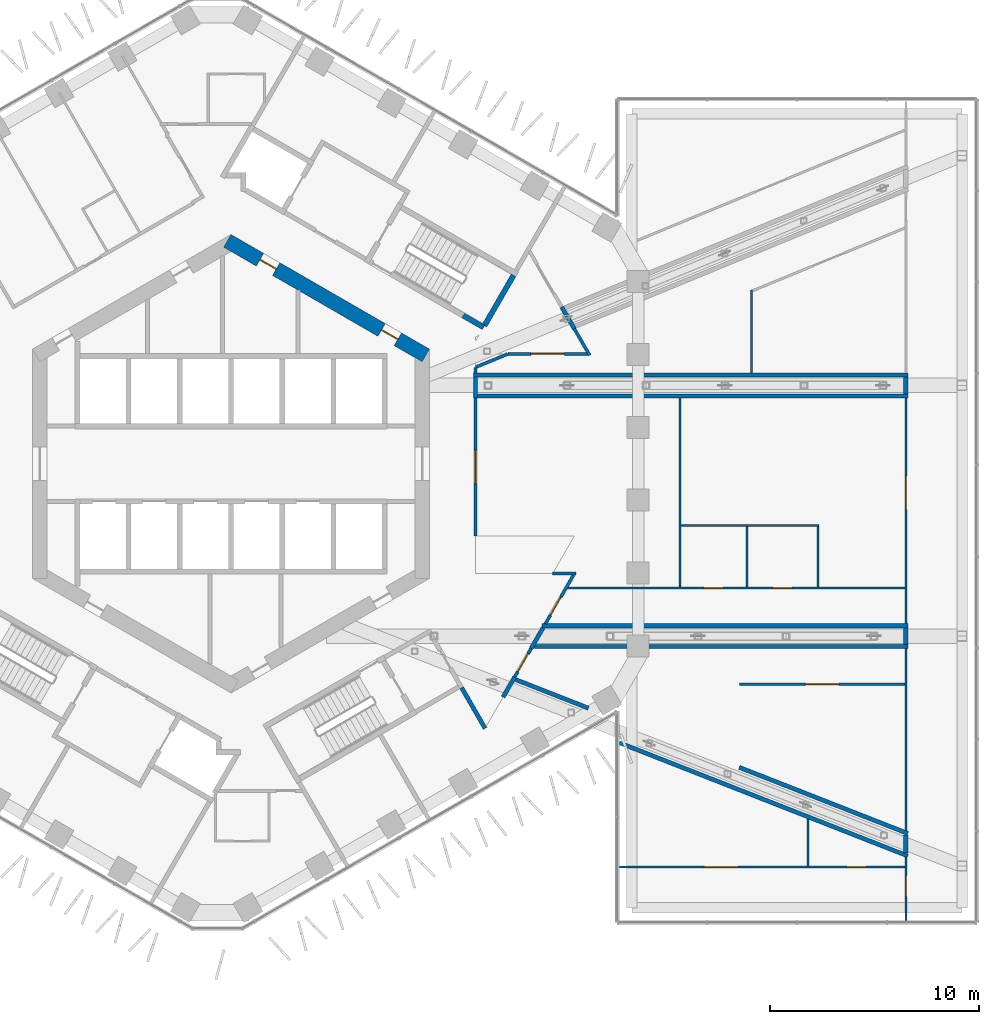
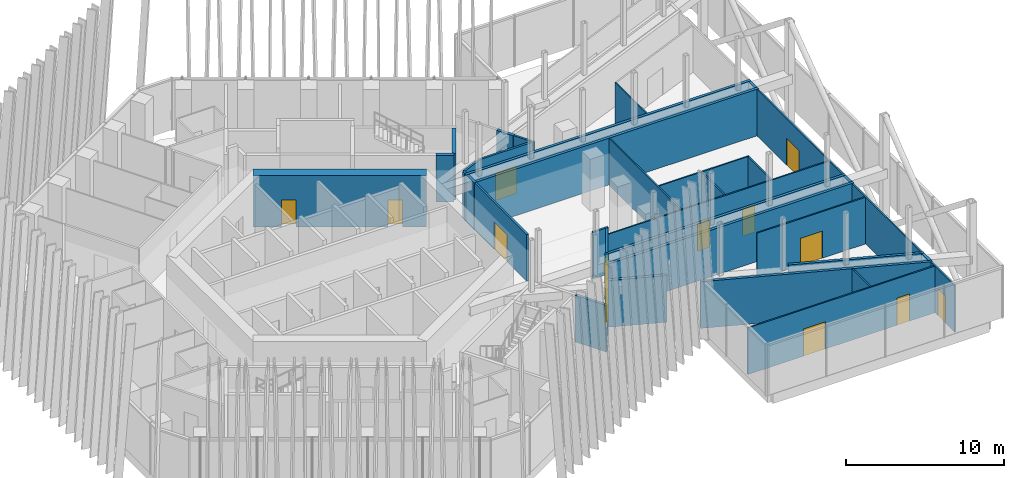
# One storey, part 21 of 28: 38 walls, 13 doors, 13 openings.
"""IFC4 building model written with IfcOpenShell, lengths in metres."""

from ifc_helpers import new_model, si_unit, direction, frame, frame_2d, origin, place, context, subcontext, project, spatial, rectangle, extrude, material, layer, layer_set, type_object, element, fill, save


model = new_model("IFC4")

# Units and contexts
model_context = context("Model", 3, precision=1e-05, world=origin(), true_north=direction((0.0, 1.0)))
body_context = subcontext(model_context, "Body", "Model", "MODEL_VIEW")
ifc_project = project(units=[si_unit("LENGTHUNIT", "METRE"), si_unit("AREAUNIT", "SQUARE_METRE"), si_unit("VOLUMEUNIT", "CUBIC_METRE"), si_unit("PLANEANGLEUNIT", "RADIAN"), si_unit("MASSUNIT", "GRAM", prefix="KILO")], contexts=[model_context])

# Site, building, storey
site_placement = place(None, origin())
site = spatial("IfcSite", under=ifc_project, at=site_placement, CompositionType="ELEMENT")
building_placement = place(site_placement, origin())
building = spatial("IfcBuilding", under=site, at=building_placement, Name="Ayvan Gate Tower", CompositionType="ELEMENT")
storey_placement = place(building_placement, frame((0.0, 0.0, 120.5)))
storey = spatial("IfcBuildingStorey", under=building, at=storey_placement, Name="L32", CompositionType="ELEMENT", Elevation=120.5)

# Wall, openings, doors
ifc_material_1 = material(Name="Concrete C70/85", Category="concrete")
ifc_layer_1 = layer(ifc_material_1, 0.699951171875)
ifc_layer_set_1 = layer_set([ifc_layer_1], Name="Concrete C70/85")
wall_type_1 = type_object("IfcWallType", Name="Core wall 700 C70/85", PredefinedType="SHEAR", material=ifc_layer_set_1)
wall_1_placement = place(storey_placement, frame((9.324951171875, 5.181640625, 0.0), z_axis=(0.0, 0.0, 1.0), x_axis=(-0.866023993627, 0.500002442456, 0.0)))
wall_1 = element("IfcWall", 1, at=wall_1_placement, inside=storey, type_object=wall_type_1, Name="CORE-L32-1", PredefinedType="SHEAR", context=body_context, shape_type="SweptSolid", body=[
    extrude(rectangle(XDim=10.9697265625, YDim=0.699951171875, at=frame_2d((5.48486328125, 0.0))), origin(), (0.0, 0.0, 1.0), 4.0),
])
opening_1_placement = place(wall_1_placement, frame((8.267333984375, 0.0, 0.0)))
opening_1 = element("IfcOpeningElement", 2, at=opening_1_placement, cuts=wall_1, Name="Opening L32-D49", PredefinedType="OPENING", context=body_context, shape_type="SweptSolid", body=[
    extrude(rectangle(XDim=0.89990234375, YDim=2.10009765625, at=frame_2d((0.449951171875, 1.050048828125))), frame((0.0, 0.35986328125, 0.0), z_axis=(0.0, -1.0, 0.0), x_axis=(1.0, 0.0, 0.0)), (0.0, 0.0, 1.0), 0.719970703125),
])
opening_2_placement = place(wall_1_placement, frame((1.547119140625, 0.0, 0.0)))
opening_2 = element("IfcOpeningElement", 3, at=opening_2_placement, cuts=wall_1, Name="Opening L32-D50", PredefinedType="OPENING", context=body_context, shape_type="SweptSolid", body=[
    extrude(rectangle(XDim=0.89990234375, YDim=2.10009765625, at=frame_2d((0.449951171875, 1.050048828125))), frame((0.0, 0.35986328125, 0.0), z_axis=(0.0, -1.0, 0.0), x_axis=(1.0, 0.0, 0.0)), (0.0, 0.0, 1.0), 0.719970703125),
])
ifc_material_2 = material(Name="Timber door leaf", Category="wood")
door_type_1 = type_object("IfcDoorType", Name="DT-900", OperationType="NOTDEFINED", PredefinedType="DOOR", material=ifc_material_2)
door_1_placement = place(opening_1_placement, origin())
door_1 = element("IfcDoor", 4, at=door_1_placement, inside=storey, type_object=door_type_1, Name="CD-L32-49", OperationType="SINGLE_SWING_LEFT", OverallHeight=2.10009765625, OverallWidth=0.89990234375, PredefinedType="DOOR", context=body_context, shape_type="SweptSolid", body=[
    extrude(rectangle(XDim=0.89990234375, YDim=2.10009765625, at=frame_2d((0.449951171875, 1.050048828125))), frame((0.0, 0.02490234375, 0.0), z_axis=(0.0, -1.0, 0.0), x_axis=(1.0, 0.0, 0.0)), (0.0, 0.0, 1.0), 0.050048828125),
])
fill(opening_1, door_1)
door_2_placement = place(opening_2_placement, origin())
door_2 = element("IfcDoor", 5, at=door_2_placement, inside=storey, type_object=door_type_1, Name="CD-L32-50", OperationType="SINGLE_SWING_RIGHT", OverallHeight=2.10009765625, OverallWidth=0.89990234375, PredefinedType="DOOR", context=body_context, shape_type="SweptSolid", body=[
    extrude(rectangle(XDim=0.89990234375, YDim=2.10009765625, at=frame_2d((0.449951171875, 1.050048828125))), frame((0.0, 0.02490234375, 0.0), z_axis=(0.0, -1.0, 0.0), x_axis=(1.0, 0.0, 0.0)), (0.0, 0.0, 1.0), 0.050048828125),
])
fill(opening_2, door_2)

# Wall, opening, door
ifc_material_3 = material(Name="Plasterboard on steel stud", Category="steel")
ifc_layer_2 = layer(ifc_material_3, 0.14990234375)
ifc_layer_set_2 = layer_set([ifc_layer_2], Name="Plasterboard on steel stud")
wall_type_2 = type_object("IfcWallType", Name="WT-CORR-150", PredefinedType="PARTITIONING", material=ifc_layer_set_2)
wall_2_placement = place(storey_placement, frame((11.699951171875, 3.150146484375, 0.0), z_axis=(0.0, 0.0, 1.0), x_axis=(0.0, -1.0, 0.0)))
wall_2 = element("IfcWall", 6, at=wall_2_placement, inside=storey, type_object=wall_type_2, Name="IW-L32-106", PredefinedType="PARTITIONING", context=body_context, shape_type="SweptSolid", body=[
    extrude(rectangle(XDim=6.608642578125, YDim=0.14990234375, at=frame_2d((3.30419921875, 0.0))), origin(), (0.0, 0.0, 1.0), 3.60009765625),
])
opening_3_placement = place(wall_2_placement, frame((2.50439453125, 0.0, 0.0)))
opening_3 = element("IfcOpeningElement", 7, at=opening_3_placement, cuts=wall_2, Name="Opening L32-D39", PredefinedType="OPENING", context=body_context, shape_type="SweptSolid", body=[
    extrude(rectangle(XDim=1.60009765625, YDim=2.10009765625, at=frame_2d((0.800048828125, 1.050048828125))), frame((0.0, 0.0849609375, 0.0), z_axis=(0.0, -1.0, 0.0), x_axis=(1.0, 0.0, 0.0)), (0.0, 0.0, 1.0), 0.169921875),
])
door_type_2 = type_object("IfcDoorType", Name="DT-1600", OperationType="NOTDEFINED", PredefinedType="DOOR", material=ifc_material_2)
door_3_placement = place(opening_3_placement, origin())
door_3 = element("IfcDoor", 8, at=door_3_placement, inside=storey, type_object=door_type_2, Name="ID-L32-039", OperationType="SINGLE_SWING_LEFT", OverallHeight=2.10009765625, OverallWidth=1.60009765625, PredefinedType="DOOR", context=body_context, shape_type="SweptSolid", body=[
    extrude(rectangle(XDim=1.60009765625, YDim=2.10009765625, at=frame_2d((0.800048828125, 1.050048828125))), frame((0.0, 0.02490234375, 0.0), z_axis=(0.0, -1.0, 0.0), x_axis=(1.0, 0.0, 0.0)), (0.0, 0.0, 1.0), 0.050048828125),
])
fill(opening_3, door_3)

# Walls
wall_3_placement = place(storey_placement, frame((11.699951171875, 4.61572265625, 0.0), z_axis=(0.0, 0.0, 1.0), x_axis=(0.0, -1.0, 0.0)))
element("IfcWall", 9, at=wall_3_placement, inside=storey, type_object=wall_type_2, Name="IW-L32-109", PredefinedType="PARTITIONING", context=body_context, shape_type="SweptSolid", body=[
    extrude(rectangle(XDim=0.265869140625, YDim=0.14990234375, at=frame_2d((0.1328125, 0.0))), origin(), (0.0, 0.0, 1.0), 3.60009765625),
])
wall_4_placement = place(storey_placement, frame((11.718505859375, 4.623291015625, 0.0), z_axis=(0.0, 0.0, 1.0), x_axis=(0.924625912524, 0.380876517901, 0.0)))
element("IfcWall", 10, at=wall_4_placement, inside=storey, type_object=wall_type_2, Name="IW-L32-110", PredefinedType="PARTITIONING", context=body_context, shape_type="SweptSolid", body=[
    extrude(rectangle(XDim=1.6474609375, YDim=0.14990234375, at=frame_2d((0.82373046875, 0.0))), origin(), (0.0, 0.0, 1.0), 3.60009765625),
])

# Wall, opening, door
wall_5_placement = place(storey_placement, frame((14.365234375, -8.83642578125, 0.0), z_axis=(0.0, 0.0, 1.0), x_axis=(-0.499958581471, -0.866049315463, 0.0)))
wall_5 = element("IfcWall", 11, at=wall_5_placement, inside=storey, type_object=wall_type_2, Name="IW-L32-116", PredefinedType="PARTITIONING", context=body_context, shape_type="SweptSolid", body=[
    extrude(rectangle(XDim=1.581298828125, YDim=0.14990234375, at=frame_2d((0.79052734375, 0.0))), origin(), (0.0, 0.0, 1.0), 3.60009765625),
])
opening_4_placement = place(wall_5_placement, frame((0.29052734375, 0.0, 0.0)))
opening_4 = element("IfcOpeningElement", 12, at=opening_4_placement, cuts=wall_5, Name="Opening L32-D36", PredefinedType="OPENING", context=body_context, shape_type="SweptSolid", body=[
    extrude(rectangle(XDim=1.0, YDim=2.10009765625, at=frame_2d((0.5, 1.050048828125))), frame((0.0, 0.0849609375, 0.0), z_axis=(0.0, -1.0, 0.0), x_axis=(1.0, 0.0, 0.0)), (0.0, 0.0, 1.0), 0.169921875),
])
door_type_3 = type_object("IfcDoorType", Name="DT-1000", OperationType="NOTDEFINED", PredefinedType="DOOR", material=ifc_material_2)
door_4_placement = place(opening_4_placement, origin())
door_4 = element("IfcDoor", 13, at=door_4_placement, inside=storey, type_object=door_type_3, Name="ID-L32-036", OperationType="SINGLE_SWING_RIGHT", OverallHeight=2.10009765625, OverallWidth=1.0, PredefinedType="DOOR", context=body_context, shape_type="SweptSolid", body=[
    extrude(rectangle(XDim=1.0, YDim=2.10009765625, at=frame_2d((0.5, 1.050048828125))), frame((0.0, 0.02490234375, 0.0), z_axis=(0.0, -1.0, 0.0), x_axis=(1.0, 0.0, 0.0)), (0.0, 0.0, 1.0), 0.050048828125),
])
fill(opening_4, door_4)

# Wall
wall_6_placement = place(storey_placement, frame((15.391845703125, -5.258544921875, 0.0), z_axis=(0.0, 0.0, 1.0), x_axis=(1.0, 0.0, 0.0)))
element("IfcWall", 14, at=wall_6_placement, inside=storey, type_object=wall_type_2, Name="IW-L32-119", PredefinedType="PARTITIONING", context=body_context, shape_type="SweptSolid", body=[
    extrude(rectangle(XDim=1.1142578125, YDim=0.14990234375, at=frame_2d((0.55712890625, 0.0))), origin(), (0.0, 0.0, 1.0), 3.60009765625),
])

# Wall, opening, door
wall_7_placement = place(storey_placement, frame((15.04248046875, -7.66357421875, 0.0), z_axis=(0.0, 0.0, 1.0), x_axis=(0.500006618465, 0.866021582578, 0.0)))
wall_7 = element("IfcWall", 15, at=wall_7_placement, inside=storey, type_object=wall_type_2, Name="IW-L32-123", PredefinedType="PARTITIONING", context=body_context, shape_type="SweptSolid", body=[
    extrude(rectangle(XDim=2.7021484375, YDim=0.14990234375, at=frame_2d((1.35107421875, 0.0))), origin(), (0.0, 0.0, 1.0), 3.60009765625),
])
opening_5_placement = place(wall_7_placement, frame((0.474365234375, 0.0, 0.0)))
opening_5 = element("IfcOpeningElement", 16, at=opening_5_placement, cuts=wall_7, Name="Opening L32-D38", PredefinedType="OPENING", context=body_context, shape_type="SweptSolid", body=[
    extrude(rectangle(XDim=1.0, YDim=2.10009765625, at=frame_2d((0.5, 1.050048828125))), frame((0.0, 0.0849609375, 0.0), z_axis=(0.0, -1.0, 0.0), x_axis=(1.0, 0.0, 0.0)), (0.0, 0.0, 1.0), 0.169921875),
])
door_5_placement = place(opening_5_placement, origin())
door_5 = element("IfcDoor", 17, at=door_5_placement, inside=storey, type_object=door_type_3, Name="ID-L32-038", OperationType="SINGLE_SWING_RIGHT", OverallHeight=2.10009765625, OverallWidth=1.0, PredefinedType="DOOR", context=body_context, shape_type="SweptSolid", body=[
    extrude(rectangle(XDim=1.0, YDim=2.10009765625, at=frame_2d((0.5, 1.050048828125))), frame((0.0, 0.02490234375, 0.0), z_axis=(0.0, -1.0, 0.0), x_axis=(1.0, 0.0, 0.0)), (0.0, 0.0, 1.0), 0.050048828125),
])
fill(opening_5, door_5)

# Wall
wall_8_placement = place(storey_placement, frame((16.431396484375, 6.4580078125, 0.0), z_axis=(0.0, 0.0, 1.0), x_axis=(0.49998782916, -0.866032430508, 0.0)))
element("IfcWall", 18, at=wall_8_placement, inside=storey, type_object=wall_type_2, Name="IW-L32-124", PredefinedType="PARTITIONING", context=body_context, shape_type="SweptSolid", body=[
    extrude(rectangle(XDim=1.4599609375, YDim=0.14990234375, at=frame_2d((0.72998046875, 0.0))), origin(), (0.0, 0.0, 1.0), 3.60009765625),
])

# Wall, opening, door
wall_9_placement = place(storey_placement, frame((17.048828125, 5.258544921875, 0.0), z_axis=(0.0, 0.0, 1.0), x_axis=(-1.0, 0.0, 0.0)))
wall_9 = element("IfcWall", 19, at=wall_9_placement, inside=storey, type_object=wall_type_2, Name="IW-L32-126", PredefinedType="PARTITIONING", context=body_context, shape_type="SweptSolid", body=[
    extrude(rectangle(XDim=3.788818359375, YDim=0.14990234375, at=frame_2d((1.89453125, 0.0))), origin(), (0.0, 0.0, 1.0), 3.60009765625),
])
opening_6_placement = place(wall_9_placement, frame((1.09423828125, 0.0, 0.0)))
opening_6 = element("IfcOpeningElement", 20, at=opening_6_placement, cuts=wall_9, Name="Opening L32-D43", PredefinedType="OPENING", context=body_context, shape_type="SweptSolid", body=[
    extrude(rectangle(XDim=1.60009765625, YDim=2.10009765625, at=frame_2d((0.800048828125, 1.050048828125))), frame((0.0, 0.0849609375, 0.0), z_axis=(0.0, -1.0, 0.0), x_axis=(1.0, 0.0, 0.0)), (0.0, 0.0, 1.0), 0.169921875),
])
door_6_placement = place(opening_6_placement, origin())
door_6 = element("IfcDoor", 21, at=door_6_placement, inside=storey, type_object=door_type_2, Name="ID-L32-043", OperationType="SINGLE_SWING_LEFT", OverallHeight=2.10009765625, OverallWidth=1.60009765625, PredefinedType="DOOR", context=body_context, shape_type="SweptSolid", body=[
    extrude(rectangle(XDim=1.60009765625, YDim=2.10009765625, at=frame_2d((0.800048828125, 1.050048828125))), frame((0.0, 0.02490234375, 0.0), z_axis=(0.0, -1.0, 0.0), x_axis=(1.0, 0.0, 0.0)), (0.0, 0.0, 1.0), 0.050048828125),
])
fill(opening_6, door_6)

# Wall, openings, doors
ifc_layer_3 = layer(ifc_material_3, 0.10009765625)
ifc_layer_set_3 = layer_set([ifc_layer_3], Name="Plasterboard on steel stud")
wall_type_3 = type_object("IfcWallType", Name="WT-PART-100", PredefinedType="PARTITIONING", material=ifc_layer_set_3)
wall_10_placement = place(storey_placement, frame((16.10693359375, -5.949951171875, 0.0), z_axis=(0.0, 0.0, 1.0), x_axis=(1.0, 0.0, 0.0)))
wall_10 = element("IfcWall", 22, at=wall_10_placement, inside=storey, type_object=wall_type_3, Name="IW-L32-122", PredefinedType="PARTITIONING", context=body_context, shape_type="SweptSolid", body=[
    extrude(rectangle(XDim=16.13720703125, YDim=0.10009765625, at=frame_2d((8.068603515625, 0.0))), origin(), (0.0, 0.0, 1.0), 3.60009765625),
])
opening_7_placement = place(wall_10_placement, frame((6.529296875, 0.0, 0.0)))
opening_7 = element("IfcOpeningElement", 23, at=opening_7_placement, cuts=wall_10, Name="Opening L32-D41", PredefinedType="OPENING", context=body_context, shape_type="SweptSolid", body=[
    extrude(rectangle(XDim=0.89990234375, YDim=2.10009765625, at=frame_2d((0.449951171875, 1.050048828125))), frame((0.0, 0.06005859375, 0.0), z_axis=(0.0, -1.0, 0.0), x_axis=(1.0, 0.0, 0.0)), (0.0, 0.0, 1.0), 0.1201171875),
])
opening_8_placement = place(wall_10_placement, frame((9.829345703125, 0.0, 0.0)))
opening_8 = element("IfcOpeningElement", 24, at=opening_8_placement, cuts=wall_10, Name="Opening L32-D42", PredefinedType="OPENING", context=body_context, shape_type="SweptSolid", body=[
    extrude(rectangle(XDim=0.89990234375, YDim=2.10009765625, at=frame_2d((0.449951171875, 1.050048828125))), frame((0.0, 0.06005859375, 0.0), z_axis=(0.0, -1.0, 0.0), x_axis=(1.0, 0.0, 0.0)), (0.0, 0.0, 1.0), 0.1201171875),
])
door_7_placement = place(opening_7_placement, origin())
door_7 = element("IfcDoor", 25, at=door_7_placement, inside=storey, type_object=door_type_1, Name="ID-L32-041", OperationType="SINGLE_SWING_LEFT", OverallHeight=2.10009765625, OverallWidth=0.89990234375, PredefinedType="DOOR", context=body_context, shape_type="SweptSolid", body=[
    extrude(rectangle(XDim=0.89990234375, YDim=2.10009765625, at=frame_2d((0.449951171875, 1.050048828125))), frame((0.0, 0.02490234375, 0.0), z_axis=(0.0, -1.0, 0.0), x_axis=(1.0, 0.0, 0.0)), (0.0, 0.0, 1.0), 0.050048828125),
])
fill(opening_7, door_7)
door_8_placement = place(opening_8_placement, origin())
door_8 = element("IfcDoor", 26, at=door_8_placement, inside=storey, type_object=door_type_1, Name="ID-L32-042", OperationType="SINGLE_SWING_RIGHT", OverallHeight=2.10009765625, OverallWidth=0.89990234375, PredefinedType="DOOR", context=body_context, shape_type="SweptSolid", body=[
    extrude(rectangle(XDim=0.89990234375, YDim=2.10009765625, at=frame_2d((0.449951171875, 1.050048828125))), frame((0.0, 0.02490234375, 0.0), z_axis=(0.0, -1.0, 0.0), x_axis=(1.0, 0.0, 0.0)), (0.0, 0.0, 1.0), 0.050048828125),
])
fill(opening_8, door_8)

wall_11_placement = place(storey_placement, frame((18.589599609375, -19.300048828125, 0.0), z_axis=(0.0, 0.0, 1.0), x_axis=(1.0, 0.0, 0.0)))
wall_11 = element("IfcWall", 27, at=wall_11_placement, inside=storey, type_object=wall_type_3, Name="IW-L32-127", PredefinedType="PARTITIONING", context=body_context, shape_type="SweptSolid", body=[
    extrude(rectangle(XDim=13.654541015625, YDim=0.10009765625, at=frame_2d((6.8271484375, 0.0))), origin(), (0.0, 0.0, 1.0), 3.60009765625),
])
opening_9_placement = place(wall_11_placement, frame((4.065673828125, 0.0, 0.0)))
opening_9 = element("IfcOpeningElement", 28, at=opening_9_placement, cuts=wall_11, Name="Opening L32-D34", PredefinedType="OPENING", context=body_context, shape_type="SweptSolid", body=[
    extrude(rectangle(XDim=1.60009765625, YDim=2.10009765625, at=frame_2d((0.800048828125, 1.050048828125))), frame((0.0, 0.06005859375, 0.0), z_axis=(0.0, -1.0, 0.0), x_axis=(1.0, 0.0, 0.0)), (0.0, 0.0, 1.0), 0.1201171875),
])
opening_10_placement = place(wall_11_placement, frame((10.89990234375, 0.0, 0.0)))
opening_10 = element("IfcOpeningElement", 29, at=opening_10_placement, cuts=wall_11, Name="Opening L32-D35", PredefinedType="OPENING", context=body_context, shape_type="SweptSolid", body=[
    extrude(rectangle(XDim=0.89990234375, YDim=2.10009765625, at=frame_2d((0.449951171875, 1.050048828125))), frame((0.0, 0.06005859375, 0.0), z_axis=(0.0, -1.0, 0.0), x_axis=(1.0, 0.0, 0.0)), (0.0, 0.0, 1.0), 0.1201171875),
])
door_9_placement = place(opening_9_placement, origin())
door_9 = element("IfcDoor", 30, at=door_9_placement, inside=storey, type_object=door_type_2, Name="ID-L32-034", OperationType="SINGLE_SWING_RIGHT", OverallHeight=2.10009765625, OverallWidth=1.60009765625, PredefinedType="DOOR", context=body_context, shape_type="SweptSolid", body=[
    extrude(rectangle(XDim=1.60009765625, YDim=2.10009765625, at=frame_2d((0.800048828125, 1.050048828125))), frame((0.0, 0.02490234375, 0.0), z_axis=(0.0, -1.0, 0.0), x_axis=(1.0, 0.0, 0.0)), (0.0, 0.0, 1.0), 0.050048828125),
])
fill(opening_9, door_9)
door_10_placement = place(opening_10_placement, origin())
door_10 = element("IfcDoor", 31, at=door_10_placement, inside=storey, type_object=door_type_1, Name="ID-L32-035", OperationType="SINGLE_SWING_LEFT", OverallHeight=2.10009765625, OverallWidth=0.89990234375, PredefinedType="DOOR", context=body_context, shape_type="SweptSolid", body=[
    extrude(rectangle(XDim=0.89990234375, YDim=2.10009765625, at=frame_2d((0.449951171875, 1.050048828125))), frame((0.0, 0.02490234375, 0.0), z_axis=(0.0, -1.0, 0.0), x_axis=(1.0, 0.0, 0.0)), (0.0, 0.0, 1.0), 0.050048828125),
])
fill(opening_10, door_10)

# Walls
wall_12_placement = place(storey_placement, frame((21.486083984375, -5.89990234375, 0.0), z_axis=(0.0, 0.0, 1.0), x_axis=(0.0, 1.0, 0.0)))
element("IfcWall", 32, at=wall_12_placement, inside=storey, type_object=wall_type_3, Name="IW-L32-129", PredefinedType="PARTITIONING", context=body_context, shape_type="SweptSolid", body=[
    extrude(rectangle(XDim=9.0498046875, YDim=0.10009765625, at=frame_2d((4.52490234375, 0.0))), origin(), (0.0, 0.0, 1.0), 3.60009765625),
])
wall_13_placement = place(storey_placement, frame((24.686279296875, -3.0, 0.0), z_axis=(0.0, 0.0, 1.0), x_axis=(0.0, -1.0, 0.0)))
element("IfcWall", 33, at=wall_13_placement, inside=storey, type_object=wall_type_3, Name="IW-L32-132", PredefinedType="PARTITIONING", context=body_context, shape_type="SweptSolid", body=[
    extrude(rectangle(XDim=2.89990234375, YDim=0.10009765625, at=frame_2d((1.449951171875, 0.0))), origin(), (0.0, 0.0, 1.0), 3.60009765625),
])
wall_14_placement = place(storey_placement, frame((21.5361328125, -2.949951171875, 0.0), z_axis=(0.0, 0.0, 1.0), x_axis=(1.0, 0.0, 0.0)))
element("IfcWall", 34, at=wall_14_placement, inside=storey, type_object=wall_type_3, Name="IW-L32-133", PredefinedType="PARTITIONING", context=body_context, shape_type="SweptSolid", body=[
    extrude(rectangle(XDim=6.60009765625, YDim=0.10009765625, at=frame_2d((3.300048828125, 0.0))), origin(), (0.0, 0.0, 1.0), 3.60009765625),
])
wall_15_placement = place(storey_placement, frame((24.89990234375, 8.303955078125, 0.0), z_axis=(0.0, 0.0, 1.0), x_axis=(0.0, -1.0, 0.0)))
element("IfcWall", 35, at=wall_15_placement, inside=storey, type_object=wall_type_3, Name="IW-L32-134", PredefinedType="PARTITIONING", context=body_context, shape_type="SweptSolid", body=[
    extrude(rectangle(XDim=3.953857421875, YDim=0.10009765625, at=frame_2d((1.97705078125, 0.0))), origin(), (0.0, 0.0, 1.0), 3.60009765625),
])
wall_16_placement = place(storey_placement, frame((27.60498046875, -16.9912109375, 0.0), z_axis=(0.0, 0.0, 1.0), x_axis=(0.0, -1.0, 0.0)))
element("IfcWall", 36, at=wall_16_placement, inside=storey, type_object=wall_type_3, Name="IW-L32-135", PredefinedType="PARTITIONING", context=body_context, shape_type="SweptSolid", body=[
    extrude(rectangle(XDim=2.2587890625, YDim=0.10009765625, at=frame_2d((1.12939453125, 0.0))), origin(), (0.0, 0.0, 1.0), 3.60009765625),
])
wall_17_placement = place(storey_placement, frame((28.086181640625, -5.89990234375, 0.0), z_axis=(0.0, 0.0, 1.0), x_axis=(0.0, 1.0, 0.0)))
element("IfcWall", 37, at=wall_17_placement, inside=storey, type_object=wall_type_3, Name="IW-L32-137", PredefinedType="PARTITIONING", context=body_context, shape_type="SweptSolid", body=[
    extrude(rectangle(XDim=2.89990234375, YDim=0.10009765625, at=frame_2d((1.449951171875, 0.0))), origin(), (0.0, 0.0, 1.0), 3.60009765625),
])

# Wall, opening, door
wall_18_placement = place(storey_placement, frame((32.294189453125, -21.845947265625, 0.0), z_axis=(0.0, 0.0, 1.0), x_axis=(0.0, 1.0, 0.0)))
wall_18 = element("IfcWall", 38, at=wall_18_placement, inside=storey, type_object=wall_type_3, Name="IW-L32-138", PredefinedType="PARTITIONING", context=body_context, shape_type="SweptSolid", body=[
    extrude(rectangle(XDim=3.01513671875, YDim=0.10009765625, at=frame_2d((1.507568359375, 0.0))), origin(), (0.0, 0.0, 1.0), 3.60009765625),
])
opening_11_placement = place(wall_18_placement, frame((1.131103515625, 0.0, 0.0)))
opening_11 = element("IfcOpeningElement", 39, at=opening_11_placement, cuts=wall_18, Name="Opening L32-D33", PredefinedType="OPENING", context=body_context, shape_type="SweptSolid", body=[
    extrude(rectangle(XDim=1.0, YDim=2.10009765625, at=frame_2d((0.5, 1.050048828125))), frame((0.0, 0.06005859375, 0.0), z_axis=(0.0, -1.0, 0.0), x_axis=(1.0, 0.0, 0.0)), (0.0, 0.0, 1.0), 0.1201171875),
])
door_11_placement = place(opening_11_placement, origin())
door_11 = element("IfcDoor", 40, at=door_11_placement, inside=storey, type_object=door_type_3, Name="ID-L32-033", OperationType="SINGLE_SWING_LEFT", OverallHeight=2.10009765625, OverallWidth=1.0, PredefinedType="DOOR", context=body_context, shape_type="SweptSolid", body=[
    extrude(rectangle(XDim=1.0, YDim=2.10009765625, at=frame_2d((0.5, 1.050048828125))), frame((0.0, 0.02490234375, 0.0), z_axis=(0.0, -1.0, 0.0), x_axis=(1.0, 0.0, 0.0)), (0.0, 0.0, 1.0), 0.050048828125),
])
fill(opening_11, door_11)

# Wall
wall_19_placement = place(storey_placement, frame((32.294189453125, -17.556884765625, 0.0), z_axis=(0.0, 0.0, 1.0), x_axis=(0.0, 1.0, 0.0)))
element("IfcWall", 41, at=wall_19_placement, inside=storey, type_object=wall_type_3, Name="IW-L32-139", PredefinedType="PARTITIONING", context=body_context, shape_type="SweptSolid", body=[
    extrude(rectangle(XDim=8.70703125, YDim=0.10009765625, at=frame_2d((4.353515625, 0.0))), origin(), (0.0, 0.0, 1.0), 3.60009765625),
])

# Wall, opening, door
wall_20_placement = place(storey_placement, frame((32.244140625, -10.550048828125, 0.0), z_axis=(0.0, 0.0, 1.0), x_axis=(-1.0, 0.0, 0.0)))
wall_20 = element("IfcWall", 42, at=wall_20_placement, inside=storey, type_object=wall_type_3, Name="IW-L32-141", PredefinedType="PARTITIONING", context=body_context, shape_type="SweptSolid", body=[
    extrude(rectangle(XDim=7.91943359375, YDim=0.10009765625, at=frame_2d((3.959716796875, 0.0))), origin(), (0.0, 0.0, 1.0), 3.60009765625),
])
opening_12_placement = place(wall_20_placement, frame((3.15966796875, 0.0, 0.0)))
opening_12 = element("IfcOpeningElement", 43, at=opening_12_placement, cuts=wall_20, Name="Opening L32-D37", PredefinedType="OPENING", context=body_context, shape_type="SweptSolid", body=[
    extrude(rectangle(XDim=1.60009765625, YDim=2.10009765625, at=frame_2d((0.800048828125, 1.050048828125))), frame((0.0, 0.06005859375, 0.0), z_axis=(0.0, -1.0, 0.0), x_axis=(1.0, 0.0, 0.0)), (0.0, 0.0, 1.0), 0.1201171875),
])
door_12_placement = place(opening_12_placement, origin())
door_12 = element("IfcDoor", 44, at=door_12_placement, inside=storey, type_object=door_type_2, Name="ID-L32-037", OperationType="SINGLE_SWING_LEFT", OverallHeight=2.10009765625, OverallWidth=1.60009765625, PredefinedType="DOOR", context=body_context, shape_type="SweptSolid", body=[
    extrude(rectangle(XDim=1.60009765625, YDim=2.10009765625, at=frame_2d((0.800048828125, 1.050048828125))), frame((0.0, 0.02490234375, 0.0), z_axis=(0.0, -1.0, 0.0), x_axis=(1.0, 0.0, 0.0)), (0.0, 0.0, 1.0), 0.050048828125),
])
fill(opening_12, door_12)

wall_21_placement = place(storey_placement, frame((32.294189453125, -7.650146484375, 0.0), z_axis=(0.0, 0.0, 1.0), x_axis=(0.0, 1.0, 0.0)))
wall_21 = element("IfcWall", 45, at=wall_21_placement, inside=storey, type_object=wall_type_3, Name="IW-L32-143", PredefinedType="PARTITIONING", context=body_context, shape_type="SweptSolid", body=[
    extrude(rectangle(XDim=10.80029296875, YDim=0.10009765625, at=frame_2d((5.400146484375, 0.0))), origin(), (0.0, 0.0, 1.0), 3.60009765625),
])
opening_13_placement = place(wall_21_placement, frame((5.465087890625, 0.0, 0.0)))
opening_13 = element("IfcOpeningElement", 46, at=opening_13_placement, cuts=wall_21, Name="Opening L32-D40", PredefinedType="OPENING", context=body_context, shape_type="SweptSolid", body=[
    extrude(rectangle(XDim=1.60009765625, YDim=2.10009765625, at=frame_2d((0.800048828125, 1.050048828125))), frame((0.0, 0.06005859375, 0.0), z_axis=(0.0, -1.0, 0.0), x_axis=(1.0, 0.0, 0.0)), (0.0, 0.0, 1.0), 0.1201171875),
])
door_13_placement = place(opening_13_placement, origin())
door_13 = element("IfcDoor", 47, at=door_13_placement, inside=storey, type_object=door_type_2, Name="ID-L32-040", OperationType="SINGLE_SWING_RIGHT", OverallHeight=2.10009765625, OverallWidth=1.60009765625, PredefinedType="DOOR", context=body_context, shape_type="SweptSolid", body=[
    extrude(rectangle(XDim=1.60009765625, YDim=2.10009765625, at=frame_2d((0.800048828125, 1.050048828125))), frame((0.0, 0.02490234375, 0.0), z_axis=(0.0, -1.0, 0.0), x_axis=(1.0, 0.0, 0.0)), (0.0, 0.0, 1.0), 0.050048828125),
])
fill(opening_13, door_13)

# Walls
ifc_layer_4 = layer(ifc_material_3, 0.199951171875)
ifc_layer_set_4 = layer_set([ifc_layer_4], Name="Plasterboard on steel stud")
wall_type_4 = type_object("IfcWallType", Name="WT-PLUMB-200", PredefinedType="PLUMBINGWALL", material=ifc_layer_set_4)
wall_22_placement = place(storey_placement, frame((11.037353515625, -10.71728515625, 0.0), z_axis=(0.0, 0.0, 1.0), x_axis=(0.499980071345, -0.866036909293, 0.0)))
element("IfcWall", 48, at=wall_22_placement, inside=storey, type_object=wall_type_4, Name="IW-L32-104", PredefinedType="PLUMBINGWALL", context=body_context, shape_type="SweptSolid", body=[
    extrude(rectangle(XDim=2.2421875, YDim=0.199951171875, at=frame_2d((1.12109375, 0.0))), origin(), (0.0, 0.0, 1.0), 3.60009765625),
])
wall_23_placement = place(storey_placement, frame((11.60009765625, 4.25, 0.0), z_axis=(0.0, 0.0, 1.0), x_axis=(1.0, 0.0, 0.0)))
element("IfcWall", 49, at=wall_23_placement, inside=storey, type_object=wall_type_4, Name="IW-L32-107", PredefinedType="PLUMBINGWALL", context=body_context, shape_type="SweptSolid", body=[
    extrude(rectangle(XDim=20.7939453125, YDim=0.199951171875, at=frame_2d((10.39697265625, 0.0))), origin(), (0.0, 0.0, 1.0), 3.60009765625),
])
wall_24_placement = place(storey_placement, frame((11.699951171875, 4.150146484375, 0.0), z_axis=(0.0, 0.0, 1.0), x_axis=(0.0, -1.0, 0.0)))
element("IfcWall", 50, at=wall_24_placement, inside=storey, type_object=wall_type_4, Name="IW-L32-108", PredefinedType="PLUMBINGWALL", context=body_context, shape_type="SweptSolid", body=[
    extrude(rectangle(XDim=1.000244140625, YDim=0.199951171875, at=frame_2d((0.5, 0.0))), origin(), (0.0, 0.0, 1.0), 3.60009765625),
])
wall_25_placement = place(storey_placement, frame((13.574951171875, -10.20556640625, 0.0), z_axis=(0.0, 0.0, 1.0), x_axis=(-0.49991892933, -0.866072204898, 0.0)))
element("IfcWall", 51, at=wall_25_placement, inside=storey, type_object=wall_type_4, Name="IW-L32-112", PredefinedType="PLUMBINGWALL", context=body_context, shape_type="SweptSolid", body=[
    extrude(rectangle(XDim=1.111572265625, YDim=0.199951171875, at=frame_2d((0.5556640625, 0.0))), origin(), (0.0, 0.0, 1.0), 3.60009765625),
])
wall_26_placement = place(storey_placement, frame((14.892578125, -7.75, 0.0), z_axis=(0.0, 0.0, 1.0), x_axis=(1.0, 0.0, 0.0)))
element("IfcWall", 52, at=wall_26_placement, inside=storey, type_object=wall_type_4, Name="IW-L32-117", PredefinedType="PLUMBINGWALL", context=body_context, shape_type="SweptSolid", body=[
    extrude(rectangle(XDim=17.50146484375, YDim=0.199951171875, at=frame_2d((8.750732421875, 0.0))), origin(), (0.0, 0.0, 1.0), 3.60009765625),
])
wall_27_placement = place(storey_placement, frame((14.942626953125, -7.83642578125, 0.0), z_axis=(0.0, 0.0, 1.0), x_axis=(-0.499935939261, -0.866062386111, 0.0)))
element("IfcWall", 53, at=wall_27_placement, inside=storey, type_object=wall_type_4, Name="IW-L32-118", PredefinedType="PLUMBINGWALL", context=body_context, shape_type="SweptSolid", body=[
    extrude(rectangle(XDim=1.155029296875, YDim=0.199951171875, at=frame_2d((0.57763671875, 0.0))), origin(), (0.0, 0.0, 1.0), 3.60009765625),
])
wall_28_placement = place(storey_placement, frame((15.826904296875, 7.5048828125, 0.0), z_axis=(0.0, 0.0, 1.0), x_axis=(0.500112762726, -0.865960290405, 0.0)))
element("IfcWall", 54, at=wall_28_placement, inside=storey, type_object=wall_type_4, Name="IW-L32-120", PredefinedType="PLUMBINGWALL", context=body_context, shape_type="SweptSolid", body=[
    extrude(rectangle(XDim=1.209228515625, YDim=0.199951171875, at=frame_2d((0.6044921875, 0.0))), origin(), (0.0, 0.0, 1.0), 3.60009765625),
])
wall_29_placement = place(storey_placement, frame((17.10546875, -11.697021484375, 0.0), z_axis=(0.0, 0.0, 1.0), x_axis=(-0.930905866209, 0.365259179566, 0.0)))
element("IfcWall", 55, at=wall_29_placement, inside=storey, type_object=wall_type_4, Name="IW-L32-125", PredefinedType="PLUMBINGWALL", context=body_context, shape_type="SweptSolid", body=[
    extrude(rectangle(XDim=3.746337890625, YDim=0.199951171875, at=frame_2d((1.873046875, 0.0))), origin(), (0.0, 0.0, 1.0), 3.60009765625),
])
wall_30_placement = place(storey_placement, frame((11.800048828125, 3.25, 0.0), z_axis=(0.0, 0.0, 1.0), x_axis=(1.0, 0.0, 0.0)))
element("IfcWall", 56, at=wall_30_placement, inside=storey, type_object=wall_type_4, Name="IW-L32-130", PredefinedType="PLUMBINGWALL", context=body_context, shape_type="SweptSolid", body=[
    extrude(rectangle(XDim=20.593994140625, YDim=0.199951171875, at=frame_2d((10.296875, 0.0))), origin(), (0.0, 0.0, 1.0), 3.60009765625),
])
wall_31_placement = place(storey_placement, frame((24.32470703125, -14.52978515625, 0.0), z_axis=(0.0, 0.0, 1.0), x_axis=(0.930902169134, -0.365268601855, 0.0)))
element("IfcWall", 57, at=wall_31_placement, inside=storey, type_object=wall_type_4, Name="IW-L32-131", PredefinedType="PLUMBINGWALL", context=body_context, shape_type="SweptSolid", body=[
    extrude(rectangle(XDim=8.660888671875, YDim=0.199951171875, at=frame_2d((4.33056640625, 0.0))), origin(), (0.0, 0.0, 1.0), 3.60009765625),
])
wall_32_placement = place(storey_placement, frame((18.58251953125, -13.350830078125, 0.0), z_axis=(0.0, 0.0, 1.0), x_axis=(0.930901095094, -0.365271339079, 0.0)))
element("IfcWall", 58, at=wall_32_placement, inside=storey, type_object=wall_type_4, Name="IW-L32-136", PredefinedType="PLUMBINGWALL", context=body_context, shape_type="SweptSolid", body=[
    extrude(rectangle(XDim=14.829345703125, YDim=0.199951171875, at=frame_2d((7.41455078125, 0.0))), origin(), (0.0, 0.0, 1.0), 3.60009765625),
])
wall_33_placement = place(storey_placement, frame((32.294189453125, -17.7568359375, 0.0), z_axis=(0.0, 0.0, 1.0), x_axis=(0.0, -1.0, 0.0)))
element("IfcWall", 59, at=wall_33_placement, inside=storey, type_object=wall_type_4, Name="IW-L32-140", PredefinedType="PLUMBINGWALL", context=body_context, shape_type="SweptSolid", body=[
    extrude(rectangle(XDim=0.874267578125, YDim=0.199951171875, at=frame_2d((0.43701171875, 0.0))), origin(), (0.0, 0.0, 1.0), 3.60009765625),
])
wall_34_placement = place(storey_placement, frame((32.39404296875, -8.75, 0.0), z_axis=(0.0, 0.0, 1.0), x_axis=(-1.0, 0.0, 0.0)))
element("IfcWall", 60, at=wall_34_placement, inside=storey, type_object=wall_type_4, Name="IW-L32-142", PredefinedType="PLUMBINGWALL", context=body_context, shape_type="SweptSolid", body=[
    extrude(rectangle(XDim=17.878662109375, YDim=0.199951171875, at=frame_2d((8.939453125, 0.0))), origin(), (0.0, 0.0, 1.0), 3.60009765625),
])
for number, where, z_axis, x_axis, name in (
    (61, (32.294189453125, -7.85009765625, 0.0), (0.0, 0.0, 1.0), (0.0, -1.0, 0.0), "IW-L32-144"),
    (62, (32.294189453125, 4.14990234375, 0.0), (0.0, 0.0, 1.0), (0.0, -1.0, 0.0), "IW-L32-146"),
):
    element("IfcWall", number, at=place(storey_placement, frame(where, z_axis=z_axis, x_axis=x_axis)), inside=storey, type_object=wall_type_4, Name=name, PredefinedType="PLUMBINGWALL", context=body_context, shape_type="SweptSolid", body=[
        extrude(rectangle(XDim=0.7998046875, YDim=0.199951171875, at=frame_2d((0.39990234375, 0.0))), origin(), (0.0, 0.0, 1.0), 3.60009765625),
    ])
ifc_material_4 = material(Name="Concrete C50/60", Category="concrete")
ifc_layer_5 = layer(ifc_material_4, 0.25)
ifc_layer_set_5 = layer_set([ifc_layer_5], Name="Concrete C50/60")
wall_type_5 = type_object("IfcWallType", Name="WT-RC-250", PredefinedType="SHEAR", material=ifc_layer_set_5)
wall_35_placement = place(storey_placement, frame((12.08544921875, 6.532470703125, 0.0), z_axis=(0.0, 0.0, 1.0), x_axis=(-0.86604373436, 0.499968249168, 0.0)))
element("IfcWall", 63, at=wall_35_placement, inside=storey, type_object=wall_type_5, Name="IW-L32-111", PredefinedType="SHEAR", context=body_context, shape_type="SweptSolid", body=[
    extrude(rectangle(XDim=1.11767578125, YDim=0.25, at=frame_2d((0.558837890625, 0.0))), origin(), (0.0, 0.0, 1.0), 3.60009765625),
])
wall_36_placement = place(storey_placement, frame((13.52294921875, 9.022216796875, 0.0), z_axis=(0.0, 0.0, 1.0), x_axis=(-0.500013277472, -0.866017737897, 0.0)))
element("IfcWall", 64, at=wall_36_placement, inside=storey, type_object=wall_type_5, Name="IW-L32-113", PredefinedType="SHEAR", context=body_context, shape_type="SweptSolid", body=[
    extrude(rectangle(XDim=2.78564453125, YDim=0.25, at=frame_2d((1.392822265625, 0.0))), origin(), (0.0, 0.0, 1.0), 3.60009765625),
])

save(model, "model.ifc")
